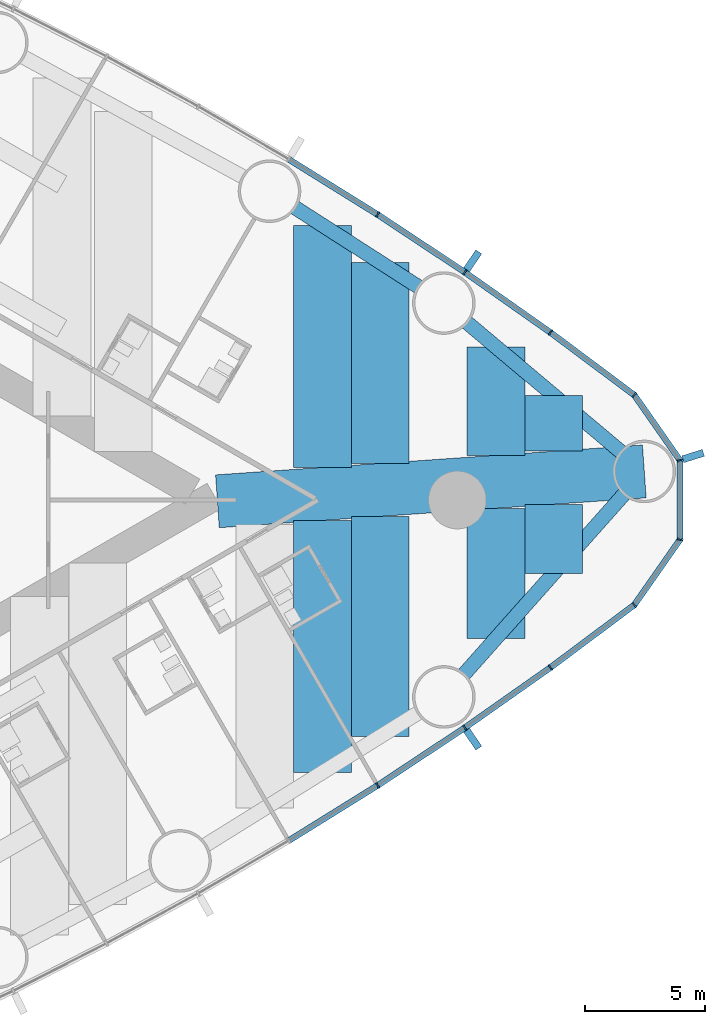
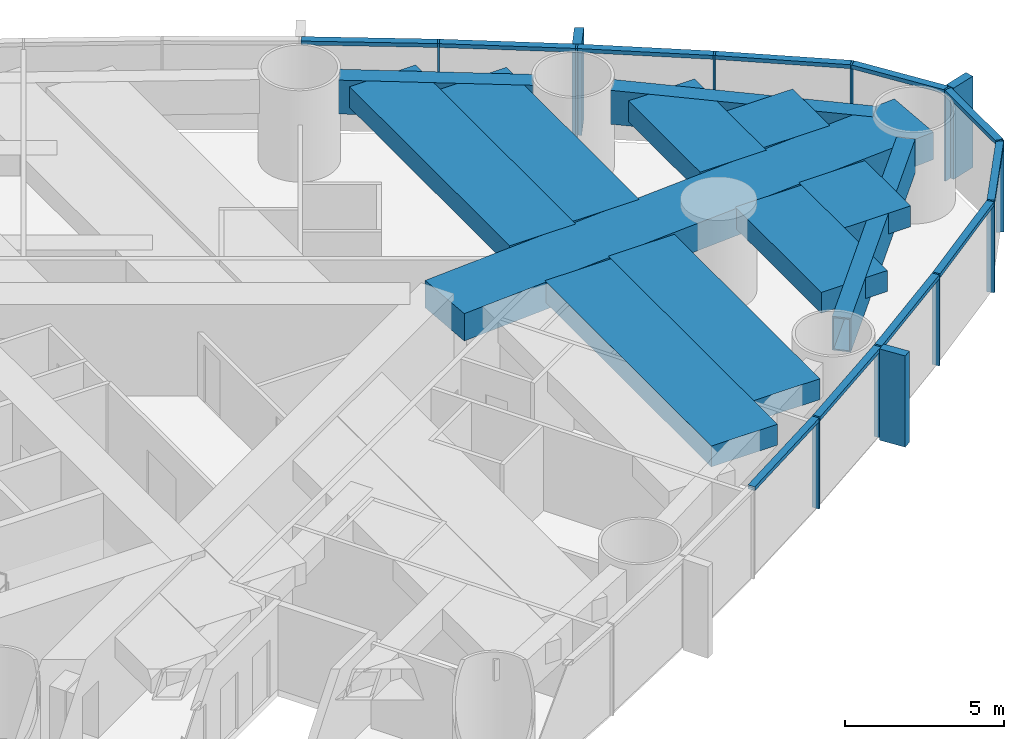
# One storey, part 8 of 19: 24 members, 12 beams, 1 element without a shape of its own.
"""IFC4 building model written with IfcOpenShell, lengths in metres."""

from ifc_helpers import new_model, si_unit, direction, frame, origin, origin_2d, place, context, subcontext, project, spatial, rectangle, hollow_rectangle, extrude, material, material_profile, profile_set, type_object, element, aggregate, save


model = new_model("IFC4")

# Units and contexts
model_context = context("Model", 3, precision=1e-05, world=origin(), true_north=direction((0.0, 1.0)))
body_context = subcontext(model_context, "Body", "Model", "MODEL_VIEW")
ifc_project = project(units=[si_unit("LENGTHUNIT", "METRE"), si_unit("AREAUNIT", "SQUARE_METRE"), si_unit("VOLUMEUNIT", "CUBIC_METRE"), si_unit("PLANEANGLEUNIT", "RADIAN"), si_unit("MASSUNIT", "GRAM", prefix="KILO")], contexts=[model_context])

# Site, building, storey
site_placement = place(None, origin())
site = spatial("IfcSite", under=ifc_project, at=site_placement, CompositionType="ELEMENT")
building_placement = place(site_placement, origin())
building = spatial("IfcBuilding", under=site, at=building_placement, Name="Lancet Gate Hotel", CompositionType="ELEMENT")
storey_placement = place(building_placement, frame((0.0, 0.0, 90.60009765625)))
storey = spatial("IfcBuildingStorey", under=building, at=storey_placement, Name="L23", CompositionType="ELEMENT", Elevation=90.60009765625)

# Curtain wall, members
ifc_material_1 = material(Name="Aluminium curtain wall", Category="aluminium")
curtain_wall_type = type_object("IfcCurtainWallType", Name="Tower unitised curtain wall", PredefinedType="USERDEFINED", material=ifc_material_1)
curtain_wall_placement = place(storey_placement, origin())
curtain_wall = element("IfcCurtainWall", 1, at=curtain_wall_placement, inside=storey, type_object=curtain_wall_type, Name="T2 L23 curtain wall 1", ObjectType="UNITISED CURTAIN WALL", PredefinedType="USERDEFINED")
ifc_material_2 = material(Name="Aluminium mullion", Category="aluminium")
ifc_material_profile_1 = material_profile(ifc_material_2, rectangle(XDim=0.06494140625, YDim=0.25, at=origin_2d()), Name="MULLION 65x250")
ifc_profile_set_1 = profile_set([ifc_material_profile_1], Name="Aluminium mullion")
member_type_1 = type_object("IfcMemberType", Name="Aluminium mullion 65x250", PredefinedType="MULLION", material=ifc_profile_set_1)
member_1_placement = place(storey_placement, frame((58.188720703125, -11.8603515625, 0.0), z_axis=(0.0, 0.0, 1.0), x_axis=(0.841736224144, 0.539888996891, 0.0)))
member_1 = element("IfcMember", 2, at=member_1_placement, type_object=member_type_1, Name="T2 L23 curtain wall 1 mullion 13", PredefinedType="MULLION", context=body_context, shape_type="SweptSolid", body=[
    extrude(rectangle(XDim=0.06494140625, YDim=0.25, at=origin_2d()), origin(), (0.0, 0.0, 1.0), 3.5),
])
member_2_placement = place(storey_placement, frame((61.814208984375, -9.461669921875, 0.0), z_axis=(0.0, 0.0, 1.0), x_axis=(0.826065510491, 0.563574105489, 0.0)))
member_2 = element("IfcMember", 3, at=member_2_placement, type_object=member_type_1, Name="T2 L23 curtain wall 1 mullion 14", PredefinedType="MULLION", context=body_context, shape_type="SweptSolid", body=[
    extrude(rectangle(XDim=0.06494140625, YDim=0.25, at=origin_2d()), origin(), (0.0, 0.0, 1.0), 3.5),
])
member_3_placement = place(storey_placement, frame((65.370361328125, -6.9609375, 0.0), z_axis=(0.0, 0.0, 1.0), x_axis=(0.809728529035, 0.586804660229, 0.0)))
member_3 = element("IfcMember", 4, at=member_3_placement, type_object=member_type_1, Name="T2 L23 curtain wall 1 mullion 15", PredefinedType="MULLION", context=body_context, shape_type="SweptSolid", body=[
    extrude(rectangle(XDim=0.06494140625, YDim=0.25, at=origin_2d()), origin(), (0.0, 0.0, 1.0), 3.5),
])
member_4_placement = place(storey_placement, frame((68.853759765625, -4.360107421875, 0.0), z_axis=(0.0, 0.0, 1.0), x_axis=(0.711610374907, 0.702574319432, 0.0)))
member_4 = element("IfcMember", 5, at=member_4_placement, type_object=member_type_1, Name="T2 L23 curtain wall 1 mullion 16", PredefinedType="MULLION", context=body_context, shape_type="SweptSolid", body=[
    extrude(rectangle(XDim=0.06494140625, YDim=0.25, at=origin_2d()), origin(), (0.0, 0.0, 1.0), 3.5),
])
member_5_placement = place(storey_placement, frame((70.747314453125, -1.652099609375, 0.0), z_axis=(0.0, 0.0, 1.0), x_axis=(0.300384890639, 0.953818073574, 0.0)))
member_5 = element("IfcMember", 6, at=member_5_placement, type_object=member_type_1, Name="T2 L23 curtain wall 1 mullion 17", PredefinedType="MULLION", context=body_context, shape_type="SweptSolid", body=[
    extrude(rectangle(XDim=0.06494140625, YDim=0.25, at=origin_2d()), origin(), (0.0, 0.0, 1.0), 3.5),
])
member_6_placement = place(storey_placement, frame((70.747314453125, 1.652099609375, 0.0), z_axis=(0.0, 0.0, 1.0), x_axis=(-0.300384890639, 0.953818073574, 0.0)))
member_6 = element("IfcMember", 7, at=member_6_placement, type_object=member_type_1, Name="T2 L23 curtain wall 1 mullion 18", PredefinedType="MULLION", context=body_context, shape_type="SweptSolid", body=[
    extrude(rectangle(XDim=0.06494140625, YDim=0.25, at=origin_2d()), origin(), (0.0, 0.0, 1.0), 3.5),
])
member_7_placement = place(storey_placement, frame((68.853759765625, 4.360107421875, 0.0), z_axis=(0.0, 0.0, 1.0), x_axis=(-0.711610374907, 0.702574319432, 0.0)))
member_7 = element("IfcMember", 8, at=member_7_placement, type_object=member_type_1, Name="T2 L23 curtain wall 1 mullion 19", PredefinedType="MULLION", context=body_context, shape_type="SweptSolid", body=[
    extrude(rectangle(XDim=0.06494140625, YDim=0.25, at=origin_2d()), origin(), (0.0, 0.0, 1.0), 3.5),
])
member_8_placement = place(storey_placement, frame((65.370361328125, 6.9609375, 0.0), z_axis=(0.0, 0.0, 1.0), x_axis=(-0.809728529035, 0.586804660229, 0.0)))
member_8 = element("IfcMember", 9, at=member_8_placement, type_object=member_type_1, Name="T2 L23 curtain wall 1 mullion 20", PredefinedType="MULLION", context=body_context, shape_type="SweptSolid", body=[
    extrude(rectangle(XDim=0.06494140625, YDim=0.25, at=origin_2d()), origin(), (0.0, 0.0, 1.0), 3.5),
])
member_9_placement = place(storey_placement, frame((61.814208984375, 9.461669921875, 0.0), z_axis=(0.0, 0.0, 1.0), x_axis=(-0.826065510491, 0.563574105489, 0.0)))
member_9 = element("IfcMember", 10, at=member_9_placement, type_object=member_type_1, Name="T2 L23 curtain wall 1 mullion 21", PredefinedType="MULLION", context=body_context, shape_type="SweptSolid", body=[
    extrude(rectangle(XDim=0.06494140625, YDim=0.25, at=origin_2d()), origin(), (0.0, 0.0, 1.0), 3.5),
])
member_10_placement = place(storey_placement, frame((58.188720703125, 11.8603515625, 0.0), z_axis=(0.0, 0.0, 1.0), x_axis=(-0.841736224144, 0.539888996891, 0.0)))
member_10 = element("IfcMember", 11, at=member_10_placement, type_object=member_type_1, Name="T2 L23 curtain wall 1 mullion 22", PredefinedType="MULLION", context=body_context, shape_type="SweptSolid", body=[
    extrude(rectangle(XDim=0.06494140625, YDim=0.25, at=origin_2d()), origin(), (0.0, 0.0, 1.0), 3.5),
])
ifc_material_3 = material(Name="Aluminium transom", Category="aluminium")
ifc_material_profile_2 = material_profile(ifc_material_3, rectangle(XDim=0.25, YDim=0.14990234375, at=origin_2d()), Name="TRANSOM 250x150")
ifc_profile_set_2 = profile_set([ifc_material_profile_2], Name="Aluminium transom")
member_type_2 = type_object("IfcMemberType", Name="Aluminium transom 250x150", PredefinedType="USERDEFINED", material=ifc_profile_set_2)
member_11_placement = place(storey_placement, frame((54.52392578125, -14.13818359375, 3.4248046875), z_axis=(0.849308812566, 0.527896335371, 0.0), x_axis=(-0.527896335371, 0.849308812566, 0.0)))
member_11 = element("IfcMember", 12, at=member_11_placement, type_object=member_type_2, Name="T2 L23 curtain wall 1 transom 12", ObjectType="TRANSOM", PredefinedType="USERDEFINED", context=body_context, shape_type="SweptSolid", body=[
    extrude(rectangle(XDim=0.25, YDim=0.14990234375, at=origin_2d()), origin(), (0.0, 0.0, 1.0), 4.282470703125),
])
member_12_placement = place(storey_placement, frame((58.2158203125, -11.842529296875, 3.4248046875), z_axis=(0.833966159038, 0.551815590192, 0.0), x_axis=(-0.551815590192, 0.833966159038, 0.0)))
member_12 = element("IfcMember", 13, at=member_12_placement, type_object=member_type_2, Name="T2 L23 curtain wall 1 transom 13", ObjectType="TRANSOM", PredefinedType="USERDEFINED", context=body_context, shape_type="SweptSolid", body=[
    extrude(rectangle(XDim=0.25, YDim=0.14990234375, at=origin_2d()), origin(), (0.0, 0.0, 1.0), 4.2822265625),
])
member_13_placement = place(storey_placement, frame((61.8408203125, -9.44287109375, 3.4248046875), z_axis=(0.817987243547, 0.57523635959, 0.0), x_axis=(-0.57523635959, 0.817987243547, 0.0)))
member_13 = element("IfcMember", 14, at=member_13_placement, type_object=member_type_2, Name="T2 L23 curtain wall 1 transom 14", ObjectType="TRANSOM", PredefinedType="USERDEFINED", context=body_context, shape_type="SweptSolid", body=[
    extrude(rectangle(XDim=0.25, YDim=0.14990234375, at=origin_2d()), origin(), (0.0, 0.0, 1.0), 4.282470703125),
])
member_14_placement = place(storey_placement, frame((65.396240234375, -6.94140625, 3.4248046875), z_axis=(0.801311559064, 0.598247261014, 0.0), x_axis=(-0.598247261014, 0.801311559064, 0.0)))
member_14 = element("IfcMember", 15, at=member_14_placement, type_object=member_type_2, Name="T2 L23 curtain wall 1 transom 15", ObjectType="TRANSOM", PredefinedType="USERDEFINED", context=body_context, shape_type="SweptSolid", body=[
    extrude(rectangle(XDim=0.25, YDim=0.14990234375, at=origin_2d()), origin(), (0.0, 0.0, 1.0), 4.282470703125),
])
member_15_placement = place(storey_placement, frame((68.87255859375, -4.33349609375, 3.4248046875), z_axis=(0.573017137751, 0.819543384967, 0.0), x_axis=(-0.819543384967, 0.573017137751, 0.0)))
member_15 = element("IfcMember", 16, at=member_15_placement, type_object=member_type_2, Name="T2 L23 curtain wall 1 transom 16", ObjectType="TRANSOM", PredefinedType="USERDEFINED", context=body_context, shape_type="SweptSolid", body=[
    extrude(rectangle(XDim=0.25, YDim=0.14990234375, at=origin_2d()), origin(), (0.0, 0.0, 1.0), 3.2392578125),
])
member_16_placement = place(storey_placement, frame((70.747314453125, -1.61962890625, 3.4248046875), z_axis=(0.0, 1.0, 0.0), x_axis=(-1.0, 0.0, 0.0)))
member_16 = element("IfcMember", 17, at=member_16_placement, type_object=member_type_2, Name="T2 L23 curtain wall 1 transom 17", ObjectType="TRANSOM", PredefinedType="USERDEFINED", context=body_context, shape_type="SweptSolid", body=[
    extrude(rectangle(XDim=0.25, YDim=0.14990234375, at=origin_2d()), origin(), (0.0, 0.0, 1.0), 3.2392578125),
])
member_17_placement = place(storey_placement, frame((70.728759765625, 1.6787109375, 3.4248046875), z_axis=(-0.573017137751, 0.819543384967, 0.0), x_axis=(-0.819543384967, -0.573017137751, 0.0)))
member_17 = element("IfcMember", 18, at=member_17_placement, type_object=member_type_2, Name="T2 L23 curtain wall 1 transom 18", ObjectType="TRANSOM", PredefinedType="USERDEFINED", context=body_context, shape_type="SweptSolid", body=[
    extrude(rectangle(XDim=0.25, YDim=0.14990234375, at=origin_2d()), origin(), (0.0, 0.0, 1.0), 3.2392578125),
])
member_18_placement = place(storey_placement, frame((68.827880859375, 4.37939453125, 3.4248046875), z_axis=(-0.801311559064, 0.598247261014, 0.0), x_axis=(-0.598247261014, -0.801311559064, 0.0)))
member_18 = element("IfcMember", 19, at=member_18_placement, type_object=member_type_2, Name="T2 L23 curtain wall 1 transom 19", ObjectType="TRANSOM", PredefinedType="USERDEFINED", context=body_context, shape_type="SweptSolid", body=[
    extrude(rectangle(XDim=0.25, YDim=0.14990234375, at=origin_2d()), origin(), (0.0, 0.0, 1.0), 4.282470703125),
])
member_19_placement = place(storey_placement, frame((65.34375, 6.9794921875, 3.4248046875), z_axis=(-0.817987243547, 0.57523635959, 0.0), x_axis=(-0.57523635959, -0.817987243547, 0.0)))
member_19 = element("IfcMember", 20, at=member_19_placement, type_object=member_type_2, Name="T2 L23 curtain wall 1 transom 20", ObjectType="TRANSOM", PredefinedType="USERDEFINED", context=body_context, shape_type="SweptSolid", body=[
    extrude(rectangle(XDim=0.25, YDim=0.14990234375, at=origin_2d()), origin(), (0.0, 0.0, 1.0), 4.282470703125),
])
member_20_placement = place(storey_placement, frame((61.787109375, 9.4794921875, 3.4248046875), z_axis=(-0.833966159038, 0.551815590192, 0.0), x_axis=(-0.551815590192, -0.833966159038, 0.0)))
member_20 = element("IfcMember", 21, at=member_20_placement, type_object=member_type_2, Name="T2 L23 curtain wall 1 transom 21", ObjectType="TRANSOM", PredefinedType="USERDEFINED", context=body_context, shape_type="SweptSolid", body=[
    extrude(rectangle(XDim=0.25, YDim=0.14990234375, at=origin_2d()), origin(), (0.0, 0.0, 1.0), 4.2822265625),
])
member_21_placement = place(storey_placement, frame((58.1611328125, 11.87744140625, 3.4248046875), z_axis=(-0.849308812566, 0.527896335371, 0.0), x_axis=(-0.527896335371, -0.849308812566, 0.0)))
member_21 = element("IfcMember", 22, at=member_21_placement, type_object=member_type_2, Name="T2 L23 curtain wall 1 transom 22", ObjectType="TRANSOM", PredefinedType="USERDEFINED", context=body_context, shape_type="SweptSolid", body=[
    extrude(rectangle(XDim=0.25, YDim=0.14990234375, at=origin_2d()), origin(), (0.0, 0.0, 1.0), 4.282470703125),
])

# Beams
ifc_material_4 = material(Name="Steel S460QL", Category="steel")
ifc_material_profile_3 = material_profile(ifc_material_4, hollow_rectangle(XDim=0.60009765625, YDim=1.300048828125, WallThickness=0.050048828125, at=origin_2d()), Name="BOX 1300x600x50")
ifc_profile_set_3 = profile_set([ifc_material_profile_3], Name="Steel S460QL")
beam_type_1 = type_object("IfcBeamType", Name="Edge beam BOX 1300x600x50", PredefinedType="SPANDREL", material=ifc_profile_set_3)
beam_1_placement = place(storey_placement, frame((61.771240234375, -7.2470703125, 2.599853515625), z_axis=(0.664406121787, 0.747371731692, 0.0), x_axis=(-0.747371731692, 0.664406121787, 0.0)))
element("IfcBeam", 23, at=beam_1_placement, inside=storey, type_object=beam_type_1, Name="T2 edge beam EB2 L23", PredefinedType="SPANDREL", context=body_context, shape_type="SweptSolid", body=[
    extrude(hollow_rectangle(XDim=0.60009765625, YDim=1.300048828125, WallThickness=0.050048828125, at=origin_2d()), origin(), (0.0, 0.0, 1.0), 10.034423828125),
])
beam_2_placement = place(storey_placement, frame((68.311767578125, 1.990478515625, 2.599853515625), z_axis=(-0.765757116068, 0.64312987739, 0.0), x_axis=(-0.64312987739, -0.765757116068, 0.0)))
element("IfcBeam", 24, at=beam_2_placement, inside=storey, type_object=beam_type_1, Name="T2 edge beam EB2 L23", PredefinedType="SPANDREL", context=body_context, shape_type="SweptSolid", body=[
    extrude(hollow_rectangle(XDim=0.60009765625, YDim=1.300048828125, WallThickness=0.050048828125, at=origin_2d()), origin(), (0.0, 0.0, 1.0), 8.375732421875),
])
beam_3_placement = place(storey_placement, frame((59.888671875, 8.85595703125, 2.599853515625), z_axis=(-0.841719796623, 0.539914608038, 0.0), x_axis=(-0.539914608038, -0.841719796623, 0.0)))
element("IfcBeam", 25, at=beam_3_placement, inside=storey, type_object=beam_type_1, Name="T2 edge beam EB2 L23", PredefinedType="SPANDREL", context=body_context, shape_type="SweptSolid", body=[
    extrude(hollow_rectangle(XDim=0.60009765625, YDim=1.300048828125, WallThickness=0.050048828125, at=origin_2d()), origin(), (0.0, 0.0, 1.0), 6.10595703125),
])

# Member
ifc_material_5 = material(Name="Precast concrete C50/60", Category="concrete")
ifc_material_profile_4 = material_profile(ifc_material_5, rectangle(XDim=0.300048828125, YDim=0.89990234375, at=origin_2d()), Name="FIN 300x900")
ifc_profile_set_4 = profile_set([ifc_material_profile_4], Name="Precast concrete C50/60")
member_type_3 = type_object("IfcMemberType", Name="Exposed concrete fin 300x900", PredefinedType="USERDEFINED", material=ifc_profile_set_4)
member_22_placement = place(storey_placement, frame((62.138427734375, -9.9365234375, 0.0), z_axis=(0.0, 0.0, 1.0), x_axis=(0.826065510491, 0.563574105489, 0.0)))
member_22 = element("IfcMember", 26, at=member_22_placement, type_object=member_type_3, Name="T2 L23 curtain wall 1 fin 14", ObjectType="FIN", PredefinedType="USERDEFINED", context=body_context, shape_type="SweptSolid", body=[
    extrude(rectangle(XDim=0.300048828125, YDim=0.89990234375, at=origin_2d()), origin(), (0.0, 0.0, 1.0), 3.5),
])

member_23_placement = place(storey_placement, frame((71.295654296875, 1.824951171875, 0.0), z_axis=(0.0, 0.0, 1.0), x_axis=(-0.300384890639, 0.953818073574, 0.0)))
member_23 = element("IfcMember", 27, at=member_23_placement, type_object=member_type_3, Name="T2 L23 curtain wall 1 fin 18", ObjectType="FIN", PredefinedType="USERDEFINED", context=body_context, shape_type="SweptSolid", body=[
    extrude(rectangle(XDim=0.300048828125, YDim=0.89990234375, at=origin_2d()), origin(), (0.0, 0.0, 1.0), 3.5),
])

member_24_placement = place(storey_placement, frame((62.138427734375, 9.9365234375, 0.0), z_axis=(0.0, 0.0, 1.0), x_axis=(-0.826065510491, 0.563574105489, 0.0)))
member_24 = element("IfcMember", 28, at=member_24_placement, type_object=member_type_3, Name="T2 L23 curtain wall 1 fin 21", ObjectType="FIN", PredefinedType="USERDEFINED", context=body_context, shape_type="SweptSolid", body=[
    extrude(rectangle(XDim=0.300048828125, YDim=0.89990234375, at=origin_2d()), origin(), (0.0, 0.0, 1.0), 3.5),
])

aggregate(curtain_wall, [member_1, member_2, member_22, member_3, member_4, member_5, member_6, member_23, member_7, member_8, member_9, member_24, member_10, member_11, member_12, member_13, member_14, member_15, member_16, member_17, member_18, member_19, member_20, member_21])

# Beams
ifc_material_6 = material(Name="Concrete C50/60", Category="concrete")
ifc_material_profile_5 = material_profile(ifc_material_6, rectangle(XDim=2.39990234375, YDim=0.800048828125, at=origin_2d()), Name="RC 2400x800")
ifc_profile_set_5 = profile_set([ifc_material_profile_5], Name="Concrete C50/60")
beam_type_2 = type_object("IfcBeamType", Name="Floor beam RC 2400x800", PredefinedType="BEAM", material=ifc_profile_set_5)
beam_4_placement = place(storey_placement, frame((55.90234375, -11.312744140625, 2.849853515625), z_axis=(0.0, 1.0, 0.0), x_axis=(-1.0, 0.0, 0.0)))
element("IfcBeam", 29, at=beam_4_placement, inside=storey, type_object=beam_type_2, Name="T2 floor beam F14S L23", PredefinedType="BEAM", context=body_context, shape_type="SweptSolid", body=[
    extrude(rectangle(XDim=2.39990234375, YDim=0.800048828125, at=origin_2d()), origin(), (0.0, 0.0, 1.0), 10.4619140625),
])
beam_5_placement = place(storey_placement, frame((55.90234375, 1.3544921875, 2.849853515625), z_axis=(0.0, 1.0, 0.0), x_axis=(-1.0, 0.0, 0.0)))
element("IfcBeam", 30, at=beam_5_placement, inside=storey, type_object=beam_type_2, Name="T2 floor beam F15N L23", PredefinedType="BEAM", context=body_context, shape_type="SweptSolid", body=[
    extrude(rectangle(XDim=2.39990234375, YDim=0.800048828125, at=origin_2d()), origin(), (0.0, 0.0, 1.0), 10.058349609375),
])
beam_6_placement = place(storey_placement, frame((58.30224609375, -9.821044921875, 2.849853515625), z_axis=(0.0, 1.0, 0.0), x_axis=(-1.0, 0.0, 0.0)))
element("IfcBeam", 31, at=beam_6_placement, inside=storey, type_object=beam_type_2, Name="T2 floor beam F16S L23", PredefinedType="BEAM", context=body_context, shape_type="SweptSolid", body=[
    extrude(rectangle(XDim=2.39990234375, YDim=0.800048828125, at=origin_2d()), origin(), (0.0, 0.0, 1.0), 9.137939453125),
])
beam_7_placement = place(storey_placement, frame((58.30224609375, 1.522216796875, 2.849853515625), z_axis=(0.0, 1.0, 0.0), x_axis=(-1.0, 0.0, 0.0)))
element("IfcBeam", 32, at=beam_7_placement, inside=storey, type_object=beam_type_2, Name="T2 floor beam F17N L23", PredefinedType="BEAM", context=body_context, shape_type="SweptSolid", body=[
    extrude(rectangle(XDim=2.39990234375, YDim=0.800048828125, at=origin_2d()), origin(), (0.0, 0.0, 1.0), 8.351318359375),
])
beam_8_placement = place(storey_placement, frame((63.102294921875, -5.75, 2.849853515625), z_axis=(0.0, 1.0, 0.0), x_axis=(-1.0, 0.0, 0.0)))
element("IfcBeam", 33, at=beam_8_placement, inside=storey, type_object=beam_type_2, Name="T2 floor beam F18S L23", PredefinedType="BEAM", context=body_context, shape_type="SweptSolid", body=[
    extrude(rectangle(XDim=2.39990234375, YDim=0.800048828125, at=origin_2d()), origin(), (0.0, 0.0, 1.0), 5.402587890625),
])
beam_9_placement = place(storey_placement, frame((63.102294921875, 1.85791015625, 2.849853515625), z_axis=(0.0, 1.0, 0.0), x_axis=(-1.0, 0.0, 0.0)))
element("IfcBeam", 34, at=beam_9_placement, inside=storey, type_object=beam_type_2, Name="T2 floor beam F19N L23", PredefinedType="BEAM", context=body_context, shape_type="SweptSolid", body=[
    extrude(rectangle(XDim=2.39990234375, YDim=0.800048828125, at=origin_2d()), origin(), (0.0, 0.0, 1.0), 4.5078125),
])
beam_10_placement = place(storey_placement, frame((65.502197265625, -3.05029296875, 2.849853515625), z_axis=(0.0, 1.0, 0.0), x_axis=(-1.0, 0.0, 0.0)))
element("IfcBeam", 35, at=beam_10_placement, inside=storey, type_object=beam_type_2, Name="T2 floor beam F20S L23", PredefinedType="BEAM", context=body_context, shape_type="SweptSolid", body=[
    extrude(rectangle(XDim=2.39990234375, YDim=0.800048828125, at=origin_2d()), origin(), (0.0, 0.0, 1.0), 2.87060546875),
])
beam_11_placement = place(storey_placement, frame((65.502197265625, 2.02587890625, 2.849853515625), z_axis=(0.0, 1.0, 0.0), x_axis=(-1.0, 0.0, 0.0)))
element("IfcBeam", 36, at=beam_11_placement, inside=storey, type_object=beam_type_2, Name="T2 floor beam F21N L23", PredefinedType="BEAM", context=body_context, shape_type="SweptSolid", body=[
    extrude(rectangle(XDim=2.39990234375, YDim=0.800048828125, at=origin_2d()), origin(), (0.0, 0.0, 1.0), 2.32421875),
])
ifc_material_7 = material(Name="Concrete C50/60", Category="concrete")
ifc_material_profile_6 = material_profile(ifc_material_7, rectangle(XDim=2.199951171875, YDim=1.050048828125, at=origin_2d()), Name="RC 2200x1050")
ifc_profile_set_6 = profile_set([ifc_material_profile_6], Name="Concrete C50/60")
beam_type_3 = type_object("IfcBeamType", Name="Radial floor beam RC 2200x1050", PredefinedType="BEAM", material=ifc_profile_set_6)
beam_12_placement = place(storey_placement, frame((69.268798828125, 1.1865234375, 2.724853515625), z_axis=(-0.99756389092, -0.069758752369, 0.0), x_axis=(0.069758752369, -0.99756389092, 0.0)))
element("IfcBeam", 37, at=beam_12_placement, inside=storey, type_object=beam_type_3, Name="T2 radial beam CA L23", PredefinedType="BEAM", context=body_context, shape_type="SweptSolid", body=[
    extrude(rectangle(XDim=2.199951171875, YDim=1.050048828125, at=origin_2d()), origin(), (0.0, 0.0, 1.0), 17.77880859375),
])

save(model, "model.ifc")
